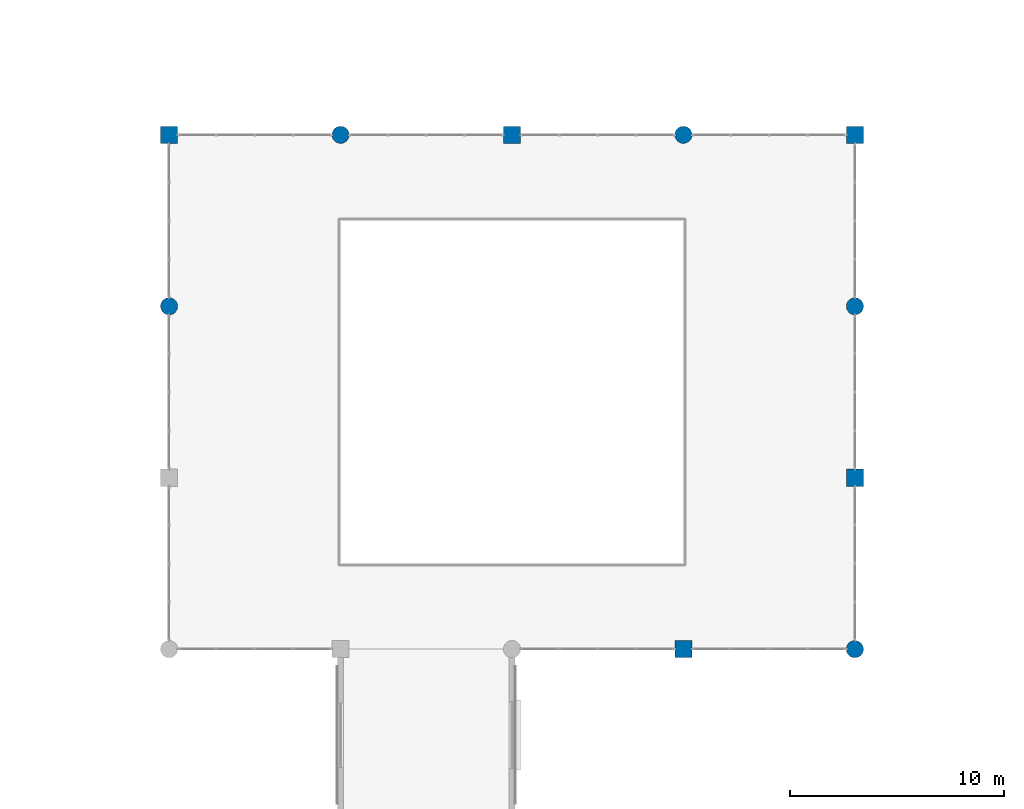
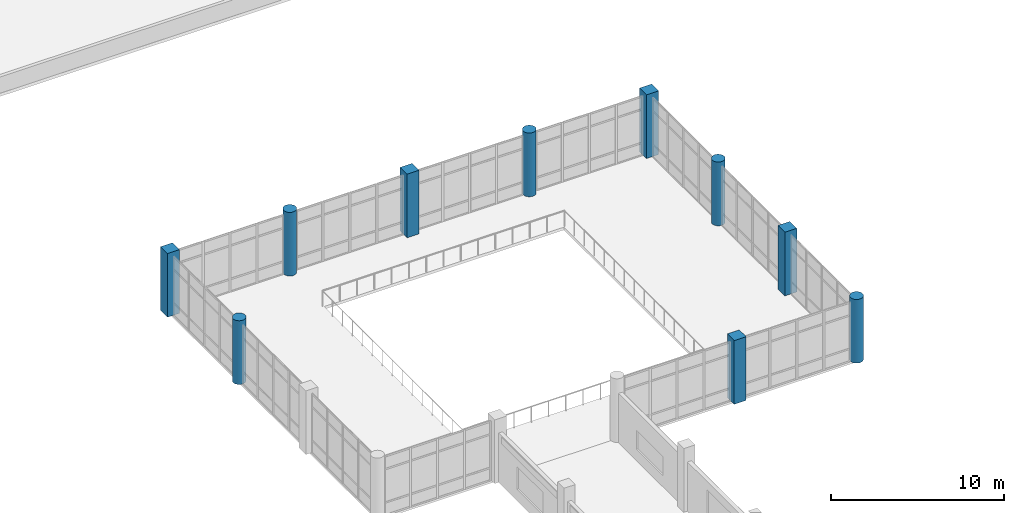
# One storey, part 4 of 42: 10 columns.
"""IFC4 building model written with IfcOpenShell, lengths in metres."""

from ifc_helpers import new_model, si_unit, direction, frame, origin, origin_2d, place, context, subcontext, project, spatial, rectangle, circle, extrude, material, material_profile, profile_set, type_object, element, save


model = new_model("IFC4")

# Units and contexts
model_context = context("Model", 3, precision=1e-05, world=origin(), true_north=direction((0.0, 1.0)))
body_context = subcontext(model_context, "Body", "Model", "MODEL_VIEW")
ifc_project = project(units=[si_unit("LENGTHUNIT", "METRE"), si_unit("AREAUNIT", "SQUARE_METRE"), si_unit("VOLUMEUNIT", "CUBIC_METRE"), si_unit("PLANEANGLEUNIT", "RADIAN"), si_unit("MASSUNIT", "GRAM", prefix="KILO")], contexts=[model_context])

# Site, building, storey
site_placement = place(None, origin())
site = spatial("IfcSite", under=ifc_project, at=site_placement, CompositionType="ELEMENT")
building_placement = place(site_placement, origin())
building = spatial("IfcBuilding", under=site, at=building_placement, Name="Solmirada Galleria", CompositionType="ELEMENT")
storey_placement = place(building_placement, frame((0.0, 0.0, 28.39990234375)))
storey = spatial("IfcBuildingStorey", under=building, at=storey_placement, Name="L06", CompositionType="ELEMENT", Elevation=28.39990234375)

# Columns
ifc_material = material(Name="Concrete C40/50", Category="concrete")
ifc_material_profile_1 = material_profile(ifc_material, circle(Radius=0.39990234375, at=origin_2d()), Name="RCCOL800")
ifc_profile_set_1 = profile_set([ifc_material_profile_1], Name="Concrete C40/50")
column_type_1 = type_object("IfcColumnType", Name="COL-CIR800", PredefinedType="COLUMN", material=ifc_profile_set_1)
for number, where, z_axis, x_axis, name in (
    (1, (80.0, 64.0, 0.0), (0.0, 0.0, 1.0), (1.0, 0.0, 0.0), "Structural column L06-0412"),
    (2, (88.0, 72.0, 0.0), (0.0, 0.0, 1.0), (1.0, 0.0, 0.0), "Structural column L06-0540"),
    (3, (104.0, 72.0, 0.0), (0.0, 0.0, 1.0), (1.0, 0.0, 0.0), "Structural column L06-0763"),
    (4, (112.0, 48.0, 0.0), (0.0, 0.0, 1.0), (1.0, 0.0, 0.0), "Structural column L06-0852"),
    (5, (112.0, 64.0, 0.0), (0.0, 0.0, 1.0), (1.0, 0.0, 0.0), "Structural column L06-0870"),
):
    element("IfcColumn", number, at=place(storey_placement, frame(where, z_axis=z_axis, x_axis=x_axis)), inside=storey, type_object=column_type_1, Name=name, PredefinedType="COLUMN", context=body_context, shape_type="SweptSolid", body=[
        extrude(circle(Radius=0.39990234375, at=origin_2d()), origin(), (0.0, 0.0, 1.0), 4.5),
    ])
ifc_material_profile_2 = material_profile(ifc_material, rectangle(XDim=0.800048828125, YDim=0.800048828125, at=origin_2d()), Name="RC800X800")
ifc_profile_set_2 = profile_set([ifc_material_profile_2], Name="Concrete C40/50")
column_type_2 = type_object("IfcColumnType", Name="COL-RC800", PredefinedType="COLUMN", material=ifc_profile_set_2)
for number, where, z_axis, x_axis, name in (
    (6, (80.0, 72.0, 0.0), (0.0, 0.0, 1.0), (1.0, 0.0, 0.0), "Structural column L06-0421"),
    (7, (96.0, 72.0, 0.0), (0.0, 0.0, 1.0), (1.0, 0.0, 0.0), "Structural column L06-0648"),
    (8, (104.0, 48.0, 0.0), (0.0, 0.0, 1.0), (1.0, 0.0, 0.0), "Structural column L06-0740"),
    (9, (112.0, 56.0, 0.0), (0.0, 0.0, 1.0), (1.0, 0.0, 0.0), "Structural column L06-0861"),
    (10, (112.0, 72.0, 0.0), (0.0, 0.0, 1.0), (1.0, 0.0, 0.0), "Structural column L06-0879"),
):
    element("IfcColumn", number, at=place(storey_placement, frame(where, z_axis=z_axis, x_axis=x_axis)), inside=storey, type_object=column_type_2, Name=name, PredefinedType="COLUMN", context=body_context, shape_type="SweptSolid", body=[
        extrude(rectangle(XDim=0.800048828125, YDim=0.800048828125, at=origin_2d()), origin(), (0.0, 0.0, 1.0), 4.5),
    ])

save(model, "model.ifc")
